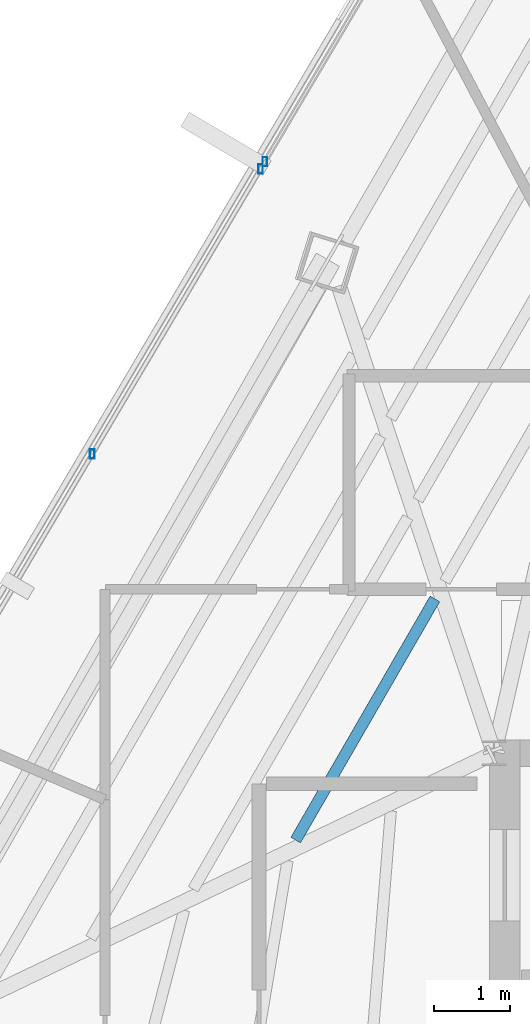
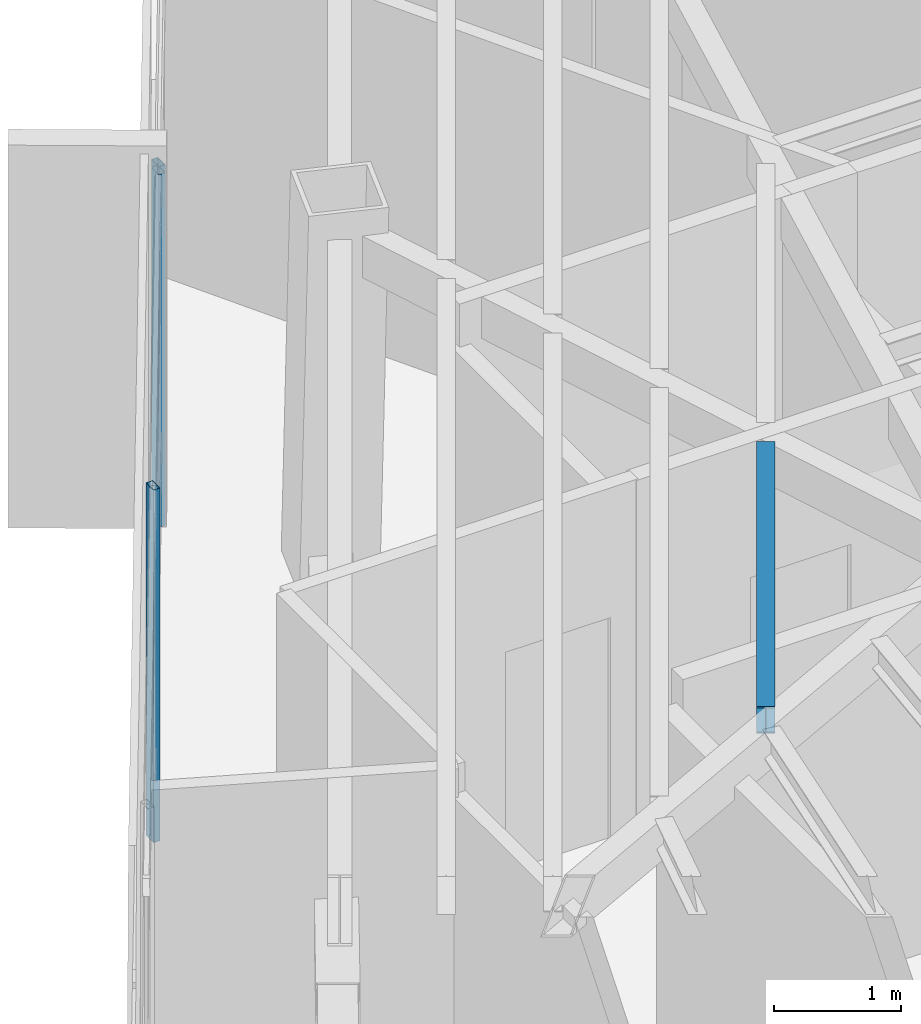
# One storey, part 17 of 44: 3 members, 1 beam, 2 elements without a shape of their own.
"""IFC4 building model written with IfcOpenShell, lengths in metres."""

from ifc_helpers import new_model, si_unit, direction, frame, origin, origin_2d, place, context, subcontext, project, spatial, hollow_rectangle, i_section, extrude, source, transform, mapped, material, material_profile, profile_set, type_object, type_shapes, element, aggregate, save


model = new_model("IFC4")

# Units and contexts
model_context = context("Model", 3, precision=1e-05, world=origin(), true_north=direction((0.0, 1.0)))
body_context = subcontext(model_context, "Body", "Model", "MODEL_VIEW")
ifc_project = project(units=[si_unit("LENGTHUNIT", "METRE"), si_unit("AREAUNIT", "SQUARE_METRE"), si_unit("VOLUMEUNIT", "CUBIC_METRE"), si_unit("PLANEANGLEUNIT", "RADIAN"), si_unit("MASSUNIT", "GRAM", prefix="KILO")], contexts=[model_context])

# Site, building, storey
site_placement = place(None, origin())
site = spatial("IfcSite", under=ifc_project, at=site_placement, CompositionType="ELEMENT")
building_placement = place(site_placement, origin())
building = spatial("IfcBuilding", under=site, at=building_placement, Name="Caelisora Broadcast Tower", CompositionType="ELEMENT")
storey_placement = place(building_placement, frame((0.0, 0.0, 259.050048828125)))
storey = spatial("IfcBuildingStorey", under=building, at=storey_placement, Name="L68", CompositionType="ELEMENT", Elevation=259.050048828125)

# Beam
ifc_material_1 = material(Name="Steel Grade 350 (AS/NZS 3679.1)", Category="steel")
ifc_material_profile_1 = material_profile(ifc_material_1, i_section(OverallWidth=0.14599609375, OverallDepth=0.256103515625, WebThickness=0.00634765625, FlangeThickness=0.010986328125, at=origin_2d()), Name="Steel Grade 350 (AS/NZS 3679.1)")
ifc_profile_set_1 = profile_set([ifc_material_profile_1], Name="Steel Grade 350 (AS/NZS 3679.1)")
beam_type = type_object("IfcBeamType", Name="SB04", PredefinedType="JOIST", material=ifc_profile_set_1)
shared_shape_1 = source(origin(), body_context, "Body", "SweptSolid", [
    extrude(i_section(OverallWidth=0.14599609375, OverallDepth=0.256103515625, WebThickness=0.00634765625, FlangeThickness=0.010986328125, at=origin_2d()), origin(), (0.0, 0.0, 1.0), 3.650146484375),
])
type_shapes(beam_type, [shared_shape_1])
beam_placement = place(storey_placement, frame((29.72509765625, 32.023193359375, 3.27197265625), z_axis=(-0.500023511883, -0.866011828767, 0.0), x_axis=(0.866011828767, -0.500023511883, 0.0)))
element("IfcBeam", 1, at=beam_placement, inside=storey, type_object=beam_type, Name="L68 beam SB04", PredefinedType="JOIST", context=body_context, shape_type="MappedRepresentation", body=[
    mapped(shared_shape_1, transform((0.0, 0.0, 0.0), scale=1.0)),
])

# Curtain wall, members
ifc_material_2 = material(Name="Unitised Aluminium Insulated Shadow-Box Spandrel Curtain Wall", Category="aluminium")
curtain_wall_type_1 = type_object("IfcCurtainWallType", Name="CW-SP3", PredefinedType="NOTDEFINED", material=ifc_material_2)
curtain_wall_1_placement = place(storey_placement, origin())
curtain_wall_1 = element("IfcCurtainWall", 2, at=curtain_wall_1_placement, inside=storey, type_object=curtain_wall_type_1, Name="L68 curtain wall CW-SP3", PredefinedType="NOTDEFINED")
ifc_material_3 = material(Name="Aluminium 6063-T6 Anodised Terracotta Bronze", Category="aluminium")
ifc_material_profile_2 = material_profile(ifc_material_3, hollow_rectangle(XDim=0.06005859375, YDim=0.1201171875, WallThickness=0.0029296875, at=origin_2d()), Name="Aluminium 6063-T6 Anodised Terracotta Bronze")
ifc_profile_set_2 = profile_set([ifc_material_profile_2], Name="Aluminium 6063-T6 Anodised Terracotta Bronze")
member_type = type_object("IfcMemberType", Name="CWM-04", PredefinedType="MULLION", material=ifc_profile_set_2)
shared_shape_2 = source(origin(), body_context, "Body", "SweptSolid", [
    extrude(hollow_rectangle(XDim=0.06005859375, YDim=0.1201171875, WallThickness=0.0029296875, at=origin_2d()), origin(), (0.0, 0.0, 1.0), 3.39990234375),
])
type_shapes(member_type, [shared_shape_2])
member_1_placement = place(storey_placement, frame((25.23291015625, 33.922119140625, 0.0), z_axis=(0.0, 0.0, 1.0), x_axis=(1.0, 0.0, 0.0)))
member_1 = element("IfcMember", 3, at=member_1_placement, type_object=member_type, Name="L68-CW-B10 mullion #2", PredefinedType="MULLION", context=body_context, shape_type="MappedRepresentation", body=[
    mapped(shared_shape_2, transform((0.0, 0.0, 0.0), scale=1.0)),
])
member_2_placement = place(storey_placement, frame((27.440185546875, 37.659912109375, 0.0), z_axis=(0.0, 0.0, 1.0), x_axis=(1.0, 0.0, 0.0)))
member_2 = element("IfcMember", 4, at=member_2_placement, type_object=member_type, Name="L68-CW-B10 mullion #3", PredefinedType="MULLION", context=body_context, shape_type="MappedRepresentation", body=[
    mapped(shared_shape_2, transform((0.0, 0.0, 0.0), scale=1.0)),
])
aggregate(curtain_wall_1, [member_1, member_2])

# Curtain wall, member
ifc_material_4 = material(Name="Unitised Aluminium and Low-E Glass Curtain Wall", Category="glass")
curtain_wall_type_2 = type_object("IfcCurtainWallType", Name="CW-Z5", PredefinedType="NOTDEFINED", material=ifc_material_4)
curtain_wall_2_placement = place(storey_placement, origin())
curtain_wall_2 = element("IfcCurtainWall", 5, at=curtain_wall_2_placement, inside=storey, type_object=curtain_wall_type_2, Name="L68 curtain wall CW-Z5", PredefinedType="NOTDEFINED")
member_3_placement = place(storey_placement, frame((27.49609375, 37.754638671875, 0.0), z_axis=(0.0, 0.0, 1.0), x_axis=(1.0, 0.0, 0.0)))
member_3 = element("IfcMember", 6, at=member_3_placement, type_object=member_type, Name="L68-CW-B11 mullion #0", PredefinedType="MULLION", context=body_context, shape_type="MappedRepresentation", body=[
    mapped(shared_shape_2, transform((0.0, 0.0, 0.0), scale=1.0)),
])
aggregate(curtain_wall_2, [member_3])

save(model, "model.ifc")
